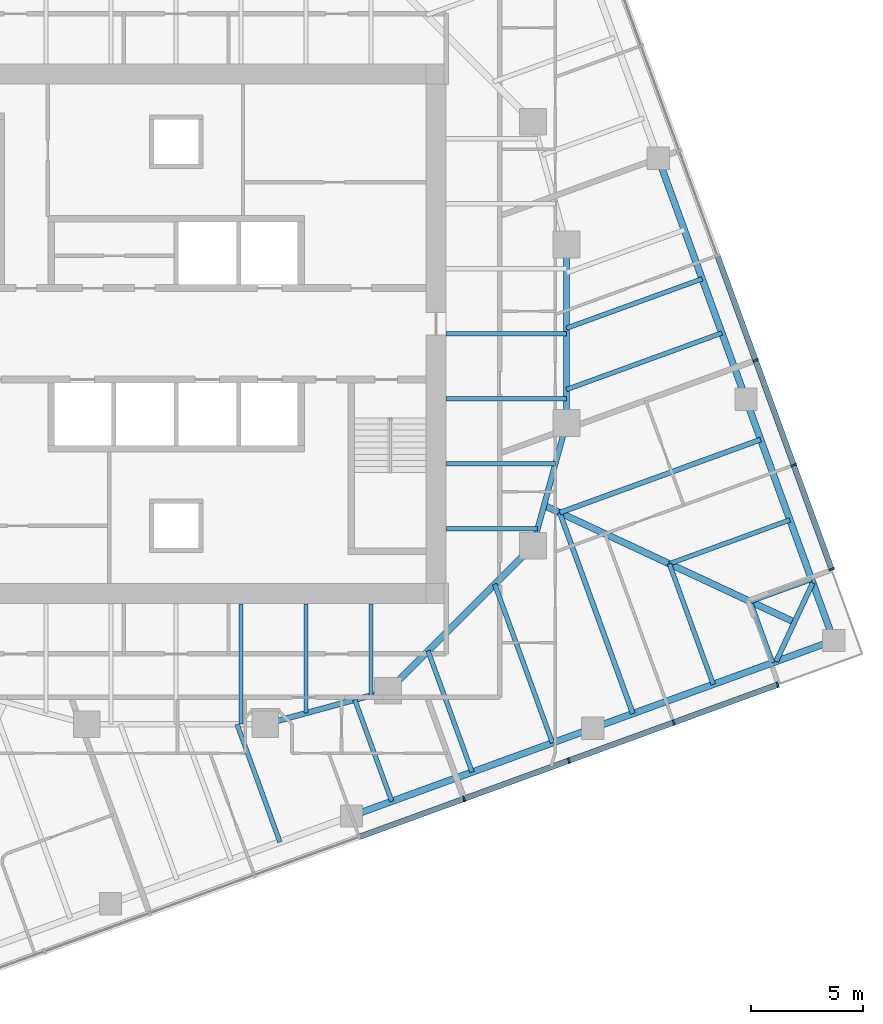
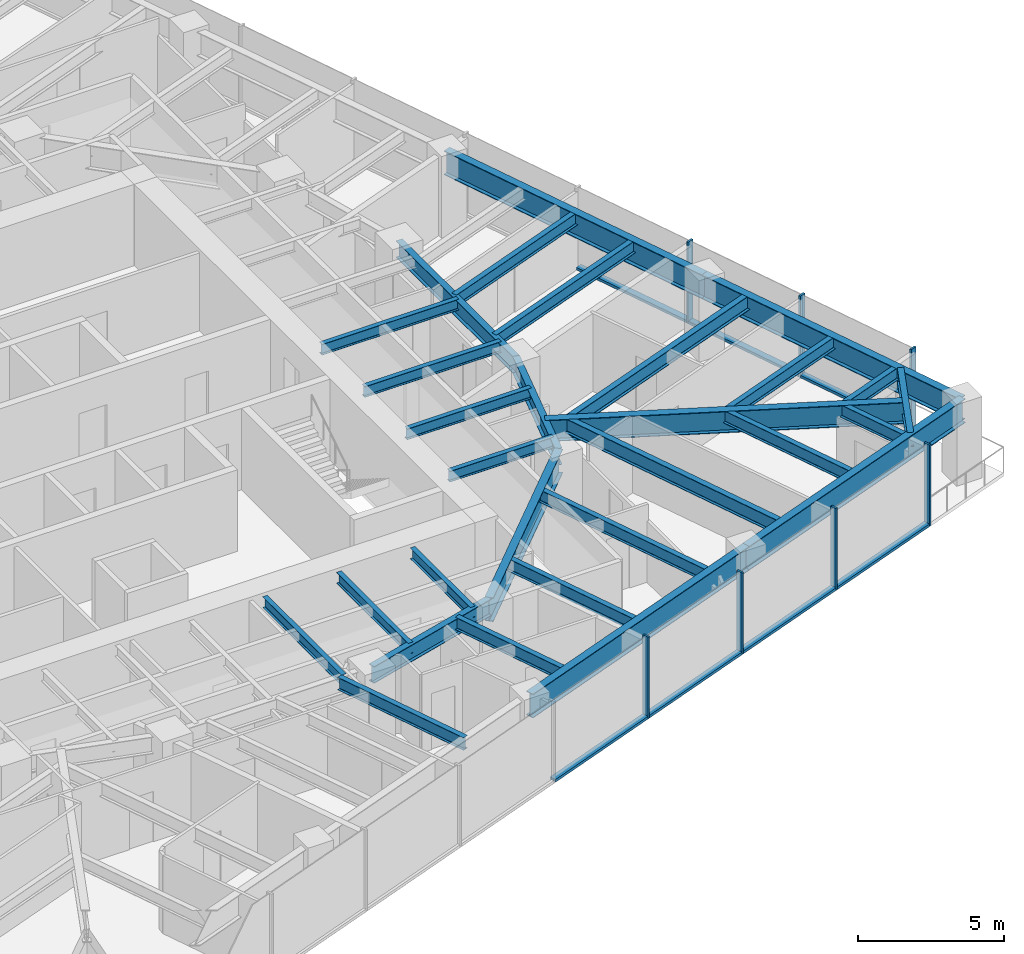
# One storey, part 3 of 13: 29 beams, 14 members, 2 elements without a shape of their own.
"""IFC4 building model written with IfcOpenShell, lengths in metres."""

from ifc_helpers import new_model, si_unit, direction, frame, origin, origin_2d, place, context, subcontext, project, spatial, rectangle, i_section, extrude, material, material_profile, profile_set, type_object, element, aggregate, save


model = new_model("IFC4")

# Units and contexts
model_context = context("Model", 3, precision=1e-05, world=origin(), true_north=direction((0.0, 1.0)))
body_context = subcontext(model_context, "Body", "Model", "MODEL_VIEW")
ifc_project = project(units=[si_unit("LENGTHUNIT", "METRE"), si_unit("AREAUNIT", "SQUARE_METRE"), si_unit("VOLUMEUNIT", "CUBIC_METRE"), si_unit("PLANEANGLEUNIT", "RADIAN"), si_unit("MASSUNIT", "GRAM", prefix="KILO")], contexts=[model_context])

# Site, building, storey
site_placement = place(None, origin())
site = spatial("IfcSite", under=ifc_project, at=site_placement, CompositionType="ELEMENT")
building_placement = place(site_placement, origin())
building = spatial("IfcBuilding", under=site, at=building_placement, Name="Torsade Residences", CompositionType="ELEMENT")
storey_placement = place(building_placement, frame((0.0, 0.0, 160.800048828125)))
storey = spatial("IfcBuildingStorey", under=building, at=storey_placement, Name="L44", CompositionType="ELEMENT", Elevation=160.800048828125)

# Beams
ifc_material_1 = material(Name="Steel grade 300", Category="steel")
ifc_material_profile_1 = material_profile(ifc_material_1, i_section(OverallWidth=0.300048828125, OverallDepth=0.89990234375, WebThickness=0.011962890625, FlangeThickness=0.02490234375, at=origin_2d()), Name="900WB175")
ifc_profile_set_1 = profile_set([ifc_material_profile_1], Name="Steel grade 300")
beam_type_1 = type_object("IfcBeamType", Name="CORNER GIRDER 900WB175", PredefinedType="BEAM", material=ifc_profile_set_1)
beam_1_placement = place(storey_placement, frame((67.717041015625, 17.075439453125, 2.800048828125), z_axis=(-0.906308509373, 0.422616712682, 0.0), x_axis=(-0.422616712682, -0.906308509373, 0.0)))
element("IfcBeam", 1, at=beam_1_placement, inside=storey, type_object=beam_type_1, Name="Corner girder 05 L45", PredefinedType="BEAM", context=body_context, shape_type="SweptSolid", body=[
    extrude(i_section(OverallWidth=0.300048828125, OverallDepth=0.89990234375, WebThickness=0.011962890625, FlangeThickness=0.02490234375, at=origin_2d()), origin(), (0.0, 0.0, 1.0), 12.3837890625),
])
ifc_material_2 = material(Name="Steel grade 300", Category="steel")
ifc_material_profile_2 = material_profile(ifc_material_2, i_section(OverallWidth=0.22802734375, OverallDepth=0.60205078125, WebThickness=0.010498046875, FlangeThickness=0.014892578125, FilletRadius=0.013916015625, at=origin_2d()), Name="610UB101")
ifc_profile_set_2 = profile_set([ifc_material_profile_2], Name="Steel grade 300")
beam_type_2 = type_object("IfcBeamType", Name="CORNER TRIMMER 610UB101", PredefinedType="BEAM", material=ifc_profile_set_2)
beam_2_placement = place(storey_placement, frame((68.538818359375, 18.837646484375, 2.948974609375), z_axis=(-0.422613947806, -0.906309798645, 0.0), x_axis=(0.906309798645, -0.422613947806, 0.0)))
element("IfcBeam", 2, at=beam_2_placement, inside=storey, type_object=beam_type_2, Name="Corner trimmer 05 L45", PredefinedType="BEAM", context=body_context, shape_type="SweptSolid", body=[
    extrude(i_section(OverallWidth=0.22802734375, OverallDepth=0.60205078125, WebThickness=0.010498046875, FlangeThickness=0.014892578125, FilletRadius=0.013916015625, at=origin_2d()), origin(), (0.0, 0.0, 1.0), 3.888916015625),
])
ifc_material_3 = material(Name="Steel grade 300", Category="steel")
ifc_material_profile_3 = material_profile(ifc_material_3, i_section(OverallWidth=0.300048828125, OverallDepth=1.0, WebThickness=0.01611328125, FlangeThickness=0.028076171875, at=origin_2d()), Name="1000WB215")
ifc_profile_set_3 = profile_set([ifc_material_profile_3], Name="Steel grade 300")
beam_type_3 = type_object("IfcBeamType", Name="EDGE BEAM 1000WB215", PredefinedType="SPANDREL", material=ifc_profile_set_3)
for number, where, z_axis, x_axis, name in (
    (3, (47.866455078125, 8.386962890625, 2.75), (0.939688625666, 0.342031119628, 0.0), (-0.342031119628, 0.939688625666, 0.0), "Edge beam 03 L45"),
    (4, (58.6728515625, 12.3203125, 2.75), (0.939697932031, 0.342005550448, 0.0), (-0.342005550448, 0.939697932031, 0.0), "Edge beam 04 L45"),
):
    element("IfcBeam", number, at=place(storey_placement, frame(where, z_axis=z_axis, x_axis=x_axis)), inside=storey, type_object=beam_type_3, Name=name, PredefinedType="SPANDREL", context=body_context, shape_type="SweptSolid", body=[
        extrude(i_section(OverallWidth=0.300048828125, OverallDepth=1.0, WebThickness=0.01611328125, FlangeThickness=0.028076171875, at=origin_2d()), origin(), (0.0, 0.0, 1.0), 11.5),
    ])
beam_3_placement = place(storey_placement, frame((69.4794921875, 16.25341796875, 2.75), z_axis=(-0.342024296483, 0.93969110915, 0.0), x_axis=(-0.93969110915, -0.342024296483, 0.0)))
element("IfcBeam", 5, at=beam_3_placement, inside=storey, type_object=beam_type_3, Name="Edge beam 05 L45", PredefinedType="SPANDREL", context=body_context, shape_type="SweptSolid", body=[
    extrude(i_section(OverallWidth=0.300048828125, OverallDepth=1.0, WebThickness=0.01611328125, FlangeThickness=0.028076171875, at=origin_2d()), origin(), (0.0, 0.0, 1.0), 11.500244140625),
])
beam_4_placement = place(storey_placement, frame((65.546142578125, 27.06005859375, 2.75), z_axis=(-0.342012373318, 0.939695448801, 0.0), x_axis=(-0.939695448801, -0.342012373318, 0.0)))
element("IfcBeam", 6, at=beam_4_placement, inside=storey, type_object=beam_type_3, Name="Edge beam 06 L45", PredefinedType="SPANDREL", context=body_context, shape_type="SweptSolid", body=[
    extrude(i_section(OverallWidth=0.300048828125, OverallDepth=1.0, WebThickness=0.01611328125, FlangeThickness=0.028076171875, at=origin_2d()), origin(), (0.0, 0.0, 1.0), 11.5),
])
ifc_material_4 = material(Name="Steel grade 300", Category="steel")
ifc_material_profile_4 = material_profile(ifc_material_4, i_section(OverallWidth=0.18994140625, OverallDepth=0.4541015625, WebThickness=0.008544921875, FlangeThickness=0.0126953125, FilletRadius=0.011474609375, at=origin_2d()), Name="460UB67.1")
ifc_profile_set_4 = profile_set([ifc_material_profile_4], Name="Steel grade 300")
beam_type_4 = type_object("IfcBeamType", Name="INNER FLOOR BEAM 460UB67.1", PredefinedType="JOIST", material=ifc_profile_set_4)
beam_5_placement = place(storey_placement, frame((48.737548828125, 17.89990234375, 3.02294921875), z_axis=(0.0, -1.0, 0.0), x_axis=(1.0, 0.0, 0.0)))
element("IfcBeam", 7, at=beam_5_placement, inside=storey, type_object=beam_type_4, Name="Inner floor beam IS01 L45", PredefinedType="JOIST", context=body_context, shape_type="SweptSolid", body=[
    extrude(i_section(OverallWidth=0.18994140625, OverallDepth=0.4541015625, WebThickness=0.008544921875, FlangeThickness=0.0126953125, FilletRadius=0.011474609375, at=origin_2d()), origin(), (0.0, 0.0, 1.0), 4.10791015625),
])
beam_6_placement = place(storey_placement, frame((45.824951171875, 17.89990234375, 3.02294921875), z_axis=(0.0, -1.0, 0.0), x_axis=(1.0, 0.0, 0.0)))
element("IfcBeam", 8, at=beam_6_placement, inside=storey, type_object=beam_type_4, Name="Inner floor beam IS02 L45", PredefinedType="JOIST", context=body_context, shape_type="SweptSolid", body=[
    extrude(i_section(OverallWidth=0.18994140625, OverallDepth=0.4541015625, WebThickness=0.008544921875, FlangeThickness=0.0126953125, FilletRadius=0.011474609375, at=origin_2d()), origin(), (0.0, 0.0, 1.0), 4.902099609375),
])
beam_7_placement = place(storey_placement, frame((42.91259765625, 17.89990234375, 3.02294921875), z_axis=(0.0, -1.0, 0.0), x_axis=(1.0, 0.0, 0.0)))
element("IfcBeam", 9, at=beam_7_placement, inside=storey, type_object=beam_type_4, Name="Inner floor beam IS03 L45", PredefinedType="JOIST", context=body_context, shape_type="SweptSolid", body=[
    extrude(i_section(OverallWidth=0.18994140625, OverallDepth=0.4541015625, WebThickness=0.008544921875, FlangeThickness=0.0126953125, FilletRadius=0.011474609375, at=origin_2d()), origin(), (0.0, 0.0, 1.0), 5.39990234375),
])
beam_8_placement = place(storey_placement, frame((52.10009765625, 21.262451171875, 3.02294921875), z_axis=(1.0, 0.0, 0.0), x_axis=(0.0, 1.0, 0.0)))
element("IfcBeam", 10, at=beam_8_placement, inside=storey, type_object=beam_type_4, Name="Inner floor beam IE01 L45", PredefinedType="JOIST", context=body_context, shape_type="SweptSolid", body=[
    extrude(i_section(OverallWidth=0.18994140625, OverallDepth=0.4541015625, WebThickness=0.008544921875, FlangeThickness=0.0126953125, FilletRadius=0.011474609375, at=origin_2d()), origin(), (0.0, 0.0, 1.0), 4.10791015625),
])
beam_9_placement = place(storey_placement, frame((52.10009765625, 24.175048828125, 3.02294921875), z_axis=(1.0, 0.0, 0.0), x_axis=(0.0, 1.0, 0.0)))
element("IfcBeam", 11, at=beam_9_placement, inside=storey, type_object=beam_type_4, Name="Inner floor beam IE02 L45", PredefinedType="JOIST", context=body_context, shape_type="SweptSolid", body=[
    extrude(i_section(OverallWidth=0.18994140625, OverallDepth=0.4541015625, WebThickness=0.008544921875, FlangeThickness=0.0126953125, FilletRadius=0.011474609375, at=origin_2d()), origin(), (0.0, 0.0, 1.0), 4.902099609375),
])
for number, where, z_axis, x_axis, name in (
    (12, (52.10009765625, 27.08740234375, 3.02294921875), (1.0, 0.0, 0.0), (0.0, 1.0, 0.0), "Inner floor beam IE03 L45"),
    (13, (52.10009765625, 30.0, 3.02294921875), (1.0, 0.0, 0.0), (0.0, 1.0, 0.0), "Inner floor beam IE04 L45"),
):
    element("IfcBeam", number, at=place(storey_placement, frame(where, z_axis=z_axis, x_axis=x_axis)), inside=storey, type_object=beam_type_4, Name=name, PredefinedType="JOIST", context=body_context, shape_type="SweptSolid", body=[
        extrude(i_section(OverallWidth=0.18994140625, OverallDepth=0.4541015625, WebThickness=0.008544921875, FlangeThickness=0.0126953125, FilletRadius=0.011474609375, at=origin_2d()), origin(), (0.0, 0.0, 1.0), 5.39990234375),
    ])

# Curtain wall, members
ifc_material_5 = material(Name="Aluminium and glass", Category="aluminium")
curtain_wall_type = type_object("IfcCurtainWallType", Name="FRITTED GLASS CURTAIN WALL MID ZONE", PredefinedType="NOTDEFINED", material=ifc_material_5)
curtain_wall_1_placement = place(storey_placement, origin())
curtain_wall_1 = element("IfcCurtainWall", 14, at=curtain_wall_1_placement, inside=storey, type_object=curtain_wall_type, Name="Curtain wall L44 face 1", PredefinedType="NOTDEFINED")
ifc_material_6 = material(Name="Aluminium mullion", Category="aluminium")
ifc_material_profile_5 = material_profile(ifc_material_6, rectangle(XDim=0.25, YDim=0.080078125, at=origin_2d()), Name="MID ZONE CURTAIN WALL MULLION 250x80")
ifc_profile_set_5 = profile_set([ifc_material_profile_5], Name="Aluminium mullion")
member_type_1 = type_object("IfcMemberType", Name="MID ZONE CURTAIN WALL MULLION 250x80", PredefinedType="MULLION", material=ifc_profile_set_5)
member_1_placement = place(storey_placement, frame((52.906982421875, 9.157470703125, 0.0), z_axis=(0.0, 0.0, 1.0), x_axis=(-0.342020147869, 0.939692619132, 0.0)))
member_1 = element("IfcMember", 15, at=member_1_placement, type_object=member_type_1, Name="Mullion 6", PredefinedType="MULLION", context=body_context, shape_type="SweptSolid", body=[
    extrude(rectangle(XDim=0.25, YDim=0.080078125, at=origin_2d()), origin(), (0.0, 0.0, 1.0), 3.39990234375),
])
member_2_placement = place(storey_placement, frame((57.60546875, 10.86767578125, 0.0), z_axis=(0.0, 0.0, 1.0), x_axis=(-0.342020147869, 0.939692619132, 0.0)))
member_2 = element("IfcMember", 16, at=member_2_placement, type_object=member_type_1, Name="Mullion 7", PredefinedType="MULLION", context=body_context, shape_type="SweptSolid", body=[
    extrude(rectangle(XDim=0.25, YDim=0.080078125, at=origin_2d()), origin(), (0.0, 0.0, 1.0), 3.39990234375),
])
member_3_placement = place(storey_placement, frame((62.303955078125, 12.57763671875, 0.0), z_axis=(0.0, 0.0, 1.0), x_axis=(-0.342020147869, 0.939692619132, 0.0)))
member_3 = element("IfcMember", 17, at=member_3_placement, type_object=member_type_1, Name="Mullion 8", PredefinedType="MULLION", context=body_context, shape_type="SweptSolid", body=[
    extrude(rectangle(XDim=0.25, YDim=0.080078125, at=origin_2d()), origin(), (0.0, 0.0, 1.0), 3.39990234375),
])
member_4_placement = place(storey_placement, frame((66.96484375, 14.274169921875, 0.0), z_axis=(0.0, 0.0, 1.0), x_axis=(-0.342020147869, 0.939692619132, 0.0)))
member_4 = element("IfcMember", 18, at=member_4_placement, type_object=member_type_1, Name="Mullion 9", PredefinedType="MULLION", context=body_context, shape_type="SweptSolid", body=[
    extrude(rectangle(XDim=0.25, YDim=0.080078125, at=origin_2d()), origin(), (0.0, 0.0, 1.0), 3.39990234375),
])

curtain_wall_2_placement = place(storey_placement, origin())
curtain_wall_2 = element("IfcCurtainWall", 19, at=curtain_wall_2_placement, inside=storey, type_object=curtain_wall_type, Name="Curtain wall L44 face 4", PredefinedType="NOTDEFINED")
member_5_placement = place(storey_placement, frame((69.37939453125, 19.4521484375, 0.0), z_axis=(0.0, 0.0, 1.0), x_axis=(-0.939692619132, -0.342020147869, 0.0)))
member_5 = element("IfcMember", 20, at=member_5_placement, type_object=member_type_1, Name="Mullion 1", PredefinedType="MULLION", context=body_context, shape_type="SweptSolid", body=[
    extrude(rectangle(XDim=0.25, YDim=0.080078125, at=origin_2d()), origin(), (0.0, 0.0, 1.0), 3.39990234375),
])
member_6_placement = place(storey_placement, frame((67.682861328125, 24.113037109375, 0.0), z_axis=(0.0, 0.0, 1.0), x_axis=(-0.939692619132, -0.342020147869, 0.0)))
member_6 = element("IfcMember", 21, at=member_6_placement, type_object=member_type_1, Name="Mullion 2", PredefinedType="MULLION", context=body_context, shape_type="SweptSolid", body=[
    extrude(rectangle(XDim=0.25, YDim=0.080078125, at=origin_2d()), origin(), (0.0, 0.0, 1.0), 3.39990234375),
])
member_7_placement = place(storey_placement, frame((65.972900390625, 28.8115234375, 0.0), z_axis=(0.0, 0.0, 1.0), x_axis=(-0.939692619132, -0.342020147869, 0.0)))
member_7 = element("IfcMember", 22, at=member_7_placement, type_object=member_type_1, Name="Mullion 3", PredefinedType="MULLION", context=body_context, shape_type="SweptSolid", body=[
    extrude(rectangle(XDim=0.25, YDim=0.080078125, at=origin_2d()), origin(), (0.0, 0.0, 1.0), 3.39990234375),
])

# Member
ifc_material_7 = material(Name="Aluminium transom", Category="aluminium")
ifc_material_profile_6 = material_profile(ifc_material_7, rectangle(XDim=0.25, YDim=0.110107421875, at=origin_2d()), Name="MID ZONE CURTAIN WALL TRANSOM 250x110")
ifc_profile_set_6 = profile_set([ifc_material_profile_6], Name="Aluminium transom")
member_type_2 = type_object("IfcMemberType", Name="MID ZONE CURTAIN WALL TRANSOM 250x110", PredefinedType="USERDEFINED", material=ifc_profile_set_6)
member_8_placement = place(storey_placement, frame((48.24609375, 7.4609375, 0.054931640625), z_axis=(0.93968471549, 0.342041862168, 0.0), x_axis=(-0.342041862168, 0.93968471549, 0.0)))
member_8 = element("IfcMember", 23, at=member_8_placement, type_object=member_type_2, Name="Transom 5.1", ObjectType="TRANSOM", PredefinedType="USERDEFINED", context=body_context, shape_type="SweptSolid", body=[
    extrude(rectangle(XDim=0.25, YDim=0.110107421875, at=origin_2d()), origin(), (0.0, 0.0, 1.0), 4.920166015625),
])

member_9_placement = place(storey_placement, frame((52.944580078125, 9.171142578125, 0.054931640625), z_axis=(0.93968471549, 0.342041862168, 0.0), x_axis=(-0.342041862168, 0.93968471549, 0.0)))
member_9 = element("IfcMember", 24, at=member_9_placement, type_object=member_type_2, Name="Transom 6.1", ObjectType="TRANSOM", PredefinedType="USERDEFINED", context=body_context, shape_type="SweptSolid", body=[
    extrude(rectangle(XDim=0.25, YDim=0.110107421875, at=origin_2d()), origin(), (0.0, 0.0, 1.0), 4.920166015625),
])

member_10_placement = place(storey_placement, frame((57.64306640625, 10.88134765625, 0.054931640625), z_axis=(0.9397006637, 0.341998044792, 0.0), x_axis=(-0.341998044792, 0.9397006637, 0.0)))
member_10 = element("IfcMember", 25, at=member_10_placement, type_object=member_type_2, Name="Transom 7.1", ObjectType="TRANSOM", PredefinedType="USERDEFINED", context=body_context, shape_type="SweptSolid", body=[
    extrude(rectangle(XDim=0.25, YDim=0.110107421875, at=origin_2d()), origin(), (0.0, 0.0, 1.0), 4.919921875),
])

member_11_placement = place(storey_placement, frame((62.341552734375, 12.59130859375, 0.054931640625), z_axis=(0.939683823915, 0.342044311564, 0.0), x_axis=(-0.342044311564, 0.939683823915, 0.0)))
member_11 = element("IfcMember", 26, at=member_11_placement, type_object=member_type_2, Name="Transom 8.1", ObjectType="TRANSOM", PredefinedType="USERDEFINED", context=body_context, shape_type="SweptSolid", body=[
    extrude(rectangle(XDim=0.25, YDim=0.110107421875, at=origin_2d()), origin(), (0.0, 0.0, 1.0), 4.880126953125),
])

aggregate(curtain_wall_1, [member_1, member_2, member_3, member_4, member_8, member_9, member_10, member_11])

member_12_placement = place(storey_placement, frame((69.36572265625, 19.48974609375, 0.054931640625), z_axis=(-0.342044311564, 0.939683823915, 0.0), x_axis=(-0.939683823915, -0.342044311564, 0.0)))
member_12 = element("IfcMember", 27, at=member_12_placement, type_object=member_type_2, Name="Transom 1.1", ObjectType="TRANSOM", PredefinedType="USERDEFINED", context=body_context, shape_type="SweptSolid", body=[
    extrude(rectangle(XDim=0.25, YDim=0.110107421875, at=origin_2d()), origin(), (0.0, 0.0, 1.0), 4.880126953125),
])

member_13_placement = place(storey_placement, frame((67.669189453125, 24.150634765625, 0.054931640625), z_axis=(-0.341998044792, 0.9397006637, 0.0), x_axis=(-0.9397006637, -0.341998044792, 0.0)))
member_13 = element("IfcMember", 28, at=member_13_placement, type_object=member_type_2, Name="Transom 2.1", ObjectType="TRANSOM", PredefinedType="USERDEFINED", context=body_context, shape_type="SweptSolid", body=[
    extrude(rectangle(XDim=0.25, YDim=0.110107421875, at=origin_2d()), origin(), (0.0, 0.0, 1.0), 4.919921875),
])

member_14_placement = place(storey_placement, frame((65.959228515625, 28.84912109375, 0.054931640625), z_axis=(-0.342041862168, 0.93968471549, 0.0), x_axis=(-0.93968471549, -0.342041862168, 0.0)))
member_14 = element("IfcMember", 29, at=member_14_placement, type_object=member_type_2, Name="Transom 3.1", ObjectType="TRANSOM", PredefinedType="USERDEFINED", context=body_context, shape_type="SweptSolid", body=[
    extrude(rectangle(XDim=0.25, YDim=0.110107421875, at=origin_2d()), origin(), (0.0, 0.0, 1.0), 4.920166015625),
])

aggregate(curtain_wall_2, [member_5, member_6, member_7, member_12, member_13, member_14])

# Beams
ifc_material_8 = material(Name="Steel grade 300", Category="steel")
ifc_material_profile_7 = material_profile(ifc_material_8, i_section(OverallWidth=0.300048828125, OverallDepth=1.0, WebThickness=0.01611328125, FlangeThickness=0.028076171875, at=origin_2d()), Name="1000WB215")
ifc_profile_set_7 = profile_set([ifc_material_profile_7], Name="Steel grade 300")
beam_type_5 = type_object("IfcBeamType", Name="RING CORNER GIRDER 1000WB215", PredefinedType="BEAM", material=ifc_profile_set_7)
beam_10_placement = place(storey_placement, frame((49.5, 14.0, 2.75), z_axis=(0.707106781187, 0.707106781187, 0.0), x_axis=(-0.707106781187, 0.707106781187, 0.0)))
element("IfcBeam", 30, at=beam_10_placement, inside=storey, type_object=beam_type_5, Name="Ring girder IR15 L45", PredefinedType="BEAM", context=body_context, shape_type="SweptSolid", body=[
    extrude(i_section(OverallWidth=0.300048828125, OverallDepth=1.0, WebThickness=0.01611328125, FlangeThickness=0.028076171875, at=origin_2d()), origin(), (0.0, 0.0, 1.0), 9.1923828125),
])
ifc_material_9 = material(Name="Steel grade 300", Category="steel")
ifc_material_profile_8 = material_profile(ifc_material_9, i_section(OverallWidth=0.25, OverallDepth=0.699951171875, WebThickness=0.010009765625, FlangeThickness=0.02001953125, at=origin_2d()), Name="700WB130")
ifc_profile_set_8 = profile_set([ifc_material_profile_8], Name="Steel grade 300")
beam_type_6 = type_object("IfcBeamType", Name="RING GIRDER 700WB130", PredefinedType="BEAM", material=ifc_profile_set_8)
beam_11_placement = place(storey_placement, frame((57.5, 26.0, 2.89990234375), z_axis=(0.0, 1.0, 0.0), x_axis=(-1.0, 0.0, 0.0)))
element("IfcBeam", 31, at=beam_11_placement, inside=storey, type_object=beam_type_6, Name="Ring girder IR01 L45", PredefinedType="BEAM", context=body_context, shape_type="SweptSolid", body=[
    extrude(i_section(OverallWidth=0.25, OverallDepth=0.699951171875, WebThickness=0.010009765625, FlangeThickness=0.02001953125, at=origin_2d()), origin(), (0.0, 0.0, 1.0), 8.0),
])
for number, where, z_axis, x_axis, name in (
    (32, (44.0, 12.5, 2.89990234375), (0.964763821238, 0.263117405792, 0.0), (-0.263117405792, 0.964763821238, 0.0), "Ring girder IR14 L45"),
    (33, (56.0, 20.5, 2.89990234375), (0.263117405792, 0.964763821238, 0.0), (-0.964763821238, 0.263117405792, 0.0), "Ring girder IR16 L45"),
):
    element("IfcBeam", number, at=place(storey_placement, frame(where, z_axis=z_axis, x_axis=x_axis)), inside=storey, type_object=beam_type_6, Name=name, PredefinedType="BEAM", context=body_context, shape_type="SweptSolid", body=[
        extrude(i_section(OverallWidth=0.25, OverallDepth=0.699951171875, WebThickness=0.010009765625, FlangeThickness=0.02001953125, at=origin_2d()), origin(), (0.0, 0.0, 1.0), 5.700927734375),
    ])
ifc_material_10 = material(Name="Steel grade 300", Category="steel")
ifc_material_profile_9 = material_profile(ifc_material_10, i_section(OverallWidth=0.208984375, OverallDepth=0.528076171875, WebThickness=0.009521484375, FlangeThickness=0.01318359375, FilletRadius=0.013916015625, at=origin_2d()), Name="530UB82.0")
ifc_profile_set_9 = profile_set([ifc_material_profile_9], Name="Steel grade 300")
beam_type_7 = type_object("IfcBeamType", Name="SECONDARY BEAM 530UB82.0", PredefinedType="JOIST", material=ifc_profile_set_9)
beam_12_placement = place(storey_placement, frame((44.65576171875, 7.218505859375, 2.98583984375), z_axis=(-0.341990681925, 0.939703343336, 0.0), x_axis=(-0.939703343336, -0.341990681925, 0.0)))
element("IfcBeam", 34, at=beam_12_placement, inside=storey, type_object=beam_type_7, Name="Floor beam FS06 L45", PredefinedType="JOIST", context=body_context, shape_type="SweptSolid", body=[
    extrude(i_section(OverallWidth=0.208984375, OverallDepth=0.528076171875, WebThickness=0.009521484375, FlangeThickness=0.01318359375, FilletRadius=0.013916015625, at=origin_2d()), origin(), (0.0, 0.0, 1.0), 5.620361328125),
])
beam_13_placement = place(storey_placement, frame((49.66748046875, 9.042724609375, 2.98583984375), z_axis=(-0.342014218604, 0.939694777187, 0.0), x_axis=(-0.939694777187, -0.342014218604, 0.0)))
element("IfcBeam", 35, at=beam_13_placement, inside=storey, type_object=beam_type_7, Name="Floor beam FS07 L45", PredefinedType="JOIST", context=body_context, shape_type="SweptSolid", body=[
    extrude(i_section(OverallWidth=0.208984375, OverallDepth=0.528076171875, WebThickness=0.009521484375, FlangeThickness=0.01318359375, FilletRadius=0.013916015625, at=origin_2d()), origin(), (0.0, 0.0, 1.0), 4.84326171875),
])
beam_14_placement = place(storey_placement, frame((53.269775390625, 10.353759765625, 2.98583984375), z_axis=(-0.342034409239, 0.939687428295, 0.0), x_axis=(-0.939687428295, -0.342034409239, 0.0)))
element("IfcBeam", 36, at=beam_14_placement, inside=storey, type_object=beam_type_7, Name="Floor beam FS08 L45", PredefinedType="JOIST", context=body_context, shape_type="SweptSolid", body=[
    extrude(i_section(OverallWidth=0.208984375, OverallDepth=0.528076171875, WebThickness=0.009521484375, FlangeThickness=0.01318359375, FilletRadius=0.013916015625, at=origin_2d()), origin(), (0.0, 0.0, 1.0), 5.785888671875),
])
beam_15_placement = place(storey_placement, frame((56.871826171875, 11.664794921875, 2.98583984375), z_axis=(-0.342027762686, 0.939689847531, 0.0), x_axis=(-0.939689847531, -0.342027762686, 0.0)))
element("IfcBeam", 37, at=beam_15_placement, inside=storey, type_object=beam_type_7, Name="Floor beam FS09 L45", PredefinedType="JOIST", context=body_context, shape_type="SweptSolid", body=[
    extrude(i_section(OverallWidth=0.208984375, OverallDepth=0.528076171875, WebThickness=0.009521484375, FlangeThickness=0.01318359375, FilletRadius=0.013916015625, at=origin_2d()), origin(), (0.0, 0.0, 1.0), 7.573486328125),
])
beam_16_placement = place(storey_placement, frame((64.076171875, 14.286865234375, 2.98583984375), z_axis=(-0.342005550448, 0.939697932031, 0.0), x_axis=(-0.939697932031, -0.342005550448, 0.0)))
element("IfcBeam", 38, at=beam_16_placement, inside=storey, type_object=beam_type_7, Name="Floor beam FS11 L45", PredefinedType="JOIST", context=body_context, shape_type="SweptSolid", body=[
    extrude(i_section(OverallWidth=0.208984375, OverallDepth=0.528076171875, WebThickness=0.009521484375, FlangeThickness=0.01318359375, FilletRadius=0.013916015625, at=origin_2d()), origin(), (0.0, 0.0, 1.0), 5.75),
])
for number, where, z_axis, x_axis, name in (
    (39, (66.738525390625, 15.255859375, 2.98583984375), (-0.341998427281, 0.939700524495, 0.0), (-0.939700524495, -0.341998427281, 0.0), "Floor beam FS12 L45"),
    (40, (68.48193359375, 18.994384765625, 2.98583984375), (-0.939700524495, -0.341998427281, 0.0), (0.341998427281, -0.939700524495, 0.0), "Floor beam FE01 L45"),
):
    element("IfcBeam", number, at=place(storey_placement, frame(where, z_axis=z_axis, x_axis=x_axis)), inside=storey, type_object=beam_type_7, Name=name, PredefinedType="JOIST", context=body_context, shape_type="SweptSolid", body=[
        extrude(i_section(OverallWidth=0.208984375, OverallDepth=0.528076171875, WebThickness=0.009521484375, FlangeThickness=0.01318359375, FilletRadius=0.013916015625, at=origin_2d()), origin(), (0.0, 0.0, 1.0), 2.916748046875),
    ])
beam_17_placement = place(storey_placement, frame((67.5126953125, 21.65673828125, 2.98583984375), z_axis=(-0.939692965423, -0.342019196443, 0.0), x_axis=(0.342019196443, -0.939692965423, 0.0)))
element("IfcBeam", 41, at=beam_17_placement, inside=storey, type_object=beam_type_7, Name="Floor beam FE02 L45", PredefinedType="JOIST", context=body_context, shape_type="SweptSolid", body=[
    extrude(i_section(OverallWidth=0.208984375, OverallDepth=0.528076171875, WebThickness=0.009521484375, FlangeThickness=0.01318359375, FilletRadius=0.013916015625, at=origin_2d()), origin(), (0.0, 0.0, 1.0), 5.749755859375),
])
beam_18_placement = place(storey_placement, frame((64.463134765625, 30.03564453125, 2.98583984375), z_axis=(-0.939690450554, -0.342026105929, 0.0), x_axis=(0.342026105929, -0.939690450554, 0.0)))
element("IfcBeam", 42, at=beam_18_placement, inside=storey, type_object=beam_type_7, Name="Floor beam FE04 L45", PredefinedType="JOIST", context=body_context, shape_type="SweptSolid", body=[
    extrude(i_section(OverallWidth=0.208984375, OverallDepth=0.528076171875, WebThickness=0.009521484375, FlangeThickness=0.01318359375, FilletRadius=0.013916015625, at=origin_2d()), origin(), (0.0, 0.0, 1.0), 7.409912109375),
])
beam_19_placement = place(storey_placement, frame((63.57958984375, 32.463134765625, 2.98583984375), z_axis=(-0.939699737026, -0.342000590983, 0.0), x_axis=(0.342000590983, -0.939699737026, 0.0)))
element("IfcBeam", 43, at=beam_19_placement, inside=storey, type_object=beam_type_7, Name="Floor beam FE05 L45", PredefinedType="JOIST", context=body_context, shape_type="SweptSolid", body=[
    extrude(i_section(OverallWidth=0.208984375, OverallDepth=0.528076171875, WebThickness=0.009521484375, FlangeThickness=0.01318359375, FilletRadius=0.013916015625, at=origin_2d()), origin(), (0.0, 0.0, 1.0), 6.4697265625),
])
ifc_material_11 = material(Name="Steel grade 300", Category="steel")
ifc_material_profile_10 = material_profile(ifc_material_11, i_section(OverallWidth=0.22900390625, OverallDepth=0.612060546875, WebThickness=0.011962890625, FlangeThickness=0.01953125, FilletRadius=0.013916015625, at=origin_2d()), Name="610UB125")
ifc_profile_set_10 = profile_set([ifc_material_profile_10], Name="Steel grade 300")
beam_type_8 = type_object("IfcBeamType", Name="SECONDARY BEAM 610UB125", PredefinedType="JOIST", material=ifc_profile_set_10)
for number, where, z_axis, x_axis, name in (
    (44, (60.47412109375, 12.975830078125, 2.94384765625), (-0.342033504181, 0.939687757725, 0.0), (-0.939687757725, -0.342033504181, 0.0), "Floor beam FS10 L45"),
    (45, (66.20166015625, 25.259033203125, 2.94384765625), (-0.939687757725, -0.342033504181, 0.0), (0.342033504181, -0.939687757725, 0.0), "Floor beam FE03 L45"),
):
    element("IfcBeam", number, at=place(storey_placement, frame(where, z_axis=z_axis, x_axis=x_axis)), inside=storey, type_object=beam_type_8, Name=name, PredefinedType="JOIST", context=body_context, shape_type="SweptSolid", body=[
        extrude(i_section(OverallWidth=0.22900390625, OverallDepth=0.612060546875, WebThickness=0.011962890625, FlangeThickness=0.01953125, FilletRadius=0.013916015625, at=origin_2d()), origin(), (0.0, 0.0, 1.0), 9.583251953125),
    ])

save(model, "model.ifc")
